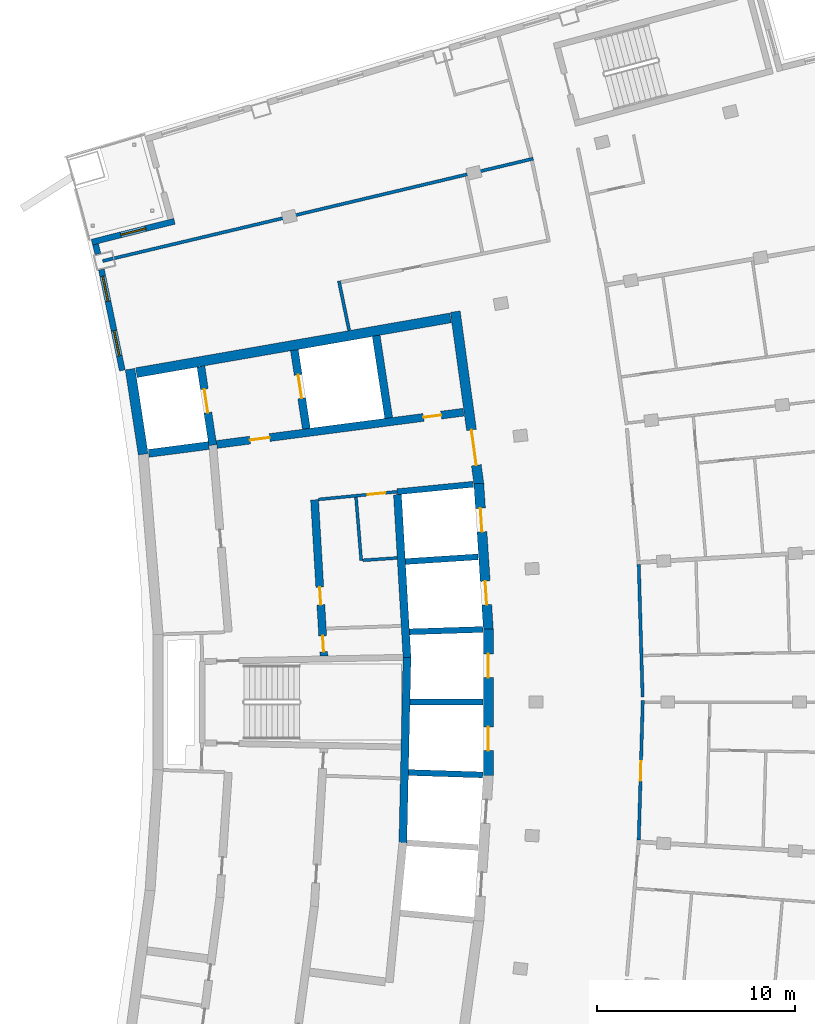
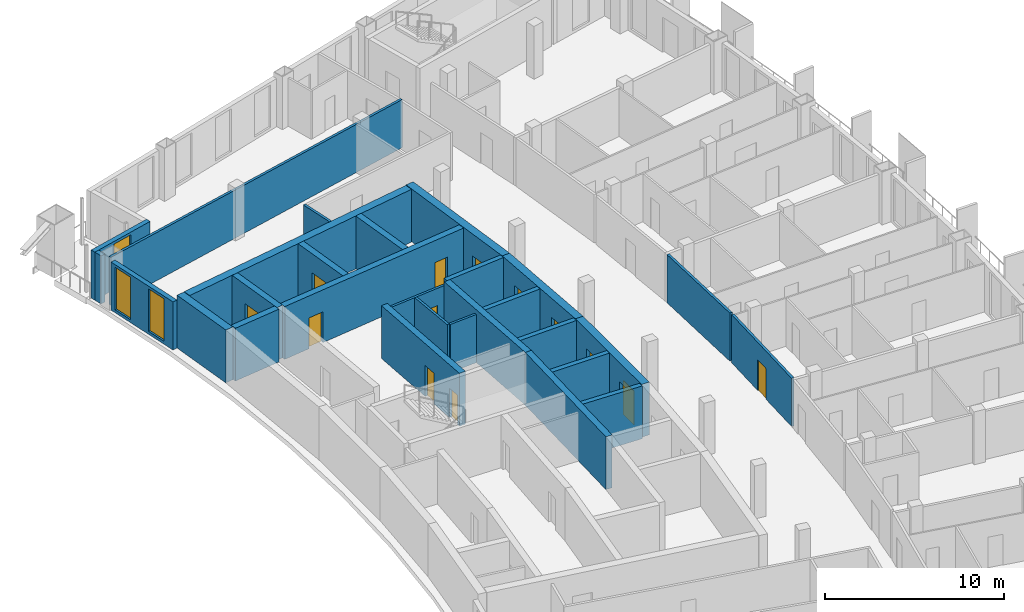
# One storey, part 10 of 16: 28 walls, 13 doors, 3 windows, 16 openings.
"""IFC4 building model written with IfcOpenShell, lengths in metres."""

from ifc_helpers import new_model, si_unit, direction, frame, frame_2d, origin, place, context, subcontext, project, spatial, rectangle, extrude, material, layer, layer_set, type_object, element, fill, save


model = new_model("IFC4")

# Units and contexts
model_context = context("Model", 3, precision=1e-05, world=origin(), true_north=direction((0.0, 1.0)))
body_context = subcontext(model_context, "Body", "Model", "MODEL_VIEW")
ifc_project = project(units=[si_unit("LENGTHUNIT", "METRE"), si_unit("AREAUNIT", "SQUARE_METRE"), si_unit("VOLUMEUNIT", "CUBIC_METRE"), si_unit("PLANEANGLEUNIT", "RADIAN"), si_unit("MASSUNIT", "GRAM", prefix="KILO")], contexts=[model_context])

# Site, building, storey
site_placement = place(None, origin())
site = spatial("IfcSite", under=ifc_project, at=site_placement, CompositionType="ELEMENT")
building_placement = place(site_placement, origin())
building = spatial("IfcBuilding", under=site, at=building_placement, Name="Alderwake Tower", CompositionType="ELEMENT")
storey_placement = place(building_placement, frame((0.0, 0.0, 281.60009765625)))
storey = spatial("IfcBuildingStorey", under=building, at=storey_placement, Name="L70", CompositionType="ELEMENT", Elevation=281.60009765625)

# Walls
ifc_material_1 = material(Name="Gypsum shaft wall system, rated")
ifc_layer_1 = layer(ifc_material_1, 0.14990234375)
ifc_layer_set_1 = layer_set([ifc_layer_1], Name="Core room partition 150")
wall_type_1 = type_object("IfcWallType", Name="Core room partition 150", PredefinedType="PARTITIONING", material=ifc_layer_set_1)
wall_1_placement = place(storey_placement, frame((26.9599609375, 68.170654296875, 0.0), z_axis=(0.0, 0.0, 1.0), x_axis=(-0.081803626558, 0.996648466954, 0.0)))
element("IfcWall", 1, at=wall_1_placement, inside=storey, type_object=wall_type_1, Name="CW/L70/PA+107_+70", PredefinedType="PARTITIONING", context=body_context, shape_type="SweptSolid", body=[
    extrude(rectangle(XDim=3.205322265625, YDim=0.14990234375, at=frame_2d((1.6025390625, 0.0))), origin(), (0.0, 0.0, 1.0), 3.27978515625),
])
wall_2_placement = place(storey_placement, frame((27.034912109375, 68.175537109375, 0.0), z_axis=(0.0, 0.0, 1.0), x_axis=(0.997757929195, 0.066926188655, 0.0)))
element("IfcWall", 2, at=wall_2_placement, inside=storey, type_object=wall_type_1, Name="CW/L70/PR+70_+107", PredefinedType="PARTITIONING", context=body_context, shape_type="SweptSolid", body=[
    extrude(rectangle(XDim=1.7509765625, YDim=0.14990234375, at=frame_2d((0.87548828125, 0.0))), origin(), (0.0, 0.0, 1.0), 3.27978515625),
])

# Wall, opening, door
wall_3_placement = place(storey_placement, frame((28.780517578125, 71.644287109375, 0.0), z_axis=(0.0, 0.0, 1.0), x_axis=(-0.995250000627, -0.097352125046, 0.0)))
wall_3 = element("IfcWall", 3, at=wall_3_placement, inside=storey, type_object=wall_type_1, Name="CW/L70/PR+102_+86", PredefinedType="PARTITIONING", context=body_context, shape_type="SweptSolid", body=[
    extrude(rectangle(XDim=4.0, YDim=0.14990234375, at=frame_2d((2.0, 0.0))), origin(), (0.0, 0.0, 1.0), 3.27978515625),
])
opening_1_placement = place(wall_3_placement, frame((0.60009765625, 0.0, 0.0)))
opening_1 = element("IfcOpeningElement", 4, at=opening_1_placement, cuts=wall_3, Name="Opening C022", PredefinedType="OPENING", context=body_context, shape_type="SweptSolid", body=[
    extrude(rectangle(XDim=0.89990234375, YDim=2.10009765625, at=frame_2d((0.449951171875, 1.050048828125))), frame((0.0, 0.0849609375, 0.0), z_axis=(0.0, -1.0, 0.0), x_axis=(1.0, 0.0, 0.0)), (0.0, 0.0, 1.0), 0.169921875),
])
ifc_material_2 = material(Name="Painted steel leaf", Category="steel")
door_type_1 = type_object("IfcDoorType", Name="Core room door 900", OperationType="SINGLE_SWING_LEFT", PredefinedType="DOOR", material=ifc_material_2)
door_1_placement = place(opening_1_placement, origin())
door_1 = element("IfcDoor", 5, at=door_1_placement, inside=storey, type_object=door_type_1, Name="Room door", OperationType="SINGLE_SWING_LEFT", OverallHeight=2.10009765625, OverallWidth=0.89990234375, PredefinedType="DOOR", context=body_context, shape_type="SweptSolid", body=[
    extrude(rectangle(XDim=0.89990234375, YDim=2.10009765625, at=frame_2d((0.449951171875, 1.050048828125))), frame((0.0, 0.02490234375, 0.0), z_axis=(0.0, -1.0, 0.0), x_axis=(1.0, 0.0, 0.0)), (0.0, 0.0, 1.0), 0.050048828125),
])
fill(opening_1, door_1)

# Wall
ifc_material_3 = material(Name="Concrete C70/85", Category="concrete")
ifc_layer_2 = layer(ifc_material_3, 0.5)
ifc_layer_set_2 = layer_set([ifc_layer_2], Name="Core wall outer 500 C70-85")
wall_type_2 = type_object("IfcWallType", Name="Core wall outer 500 C70-85", PredefinedType="SHEAR", material=ifc_layer_set_2)
wall_4_placement = place(storey_placement, frame((15.934326171875, 73.5380859375, 0.0), z_axis=(0.0, 0.0, 1.0), x_axis=(-0.151947718368, 0.988388532351, 0.0)))
element("IfcWall", 6, at=wall_4_placement, inside=storey, type_object=wall_type_2, Name="Core wall CW.025", PredefinedType="SHEAR", context=body_context, shape_type="SweptSolid", body=[
    extrude(rectangle(XDim=4.357421875, YDim=0.5, at=frame_2d((2.1787109375, 0.0))), origin(), (0.0, 0.0, 1.0), 3.599853515625),
])

# Wall, openings, doors
wall_5_placement = place(storey_placement, frame((33.389892578125, 57.30322265625, 0.0), z_axis=(0.0, 0.0, 1.0), x_axis=(0.0, 1.0, 0.0)))
wall_5 = element("IfcWall", 7, at=wall_5_placement, inside=storey, type_object=wall_type_2, Name="Core wall CW.023", PredefinedType="SHEAR", context=body_context, shape_type="SweptSolid", body=[
    extrude(rectangle(XDim=7.3935546875, YDim=0.5, at=frame_2d((3.69677734375, 0.0))), origin(), (0.0, 0.0, 1.0), 3.599853515625),
])
opening_2_placement = place(wall_5_placement, frame((1.25244140625, 0.0, 0.0)))
opening_2 = element("IfcOpeningElement", 8, at=opening_2_placement, cuts=wall_5, Name="Opening LD-HP3", PredefinedType="OPENING", context=body_context, shape_type="SweptSolid", body=[
    extrude(rectangle(XDim=1.199951171875, YDim=2.300048828125, at=frame_2d((0.60009765625, 1.14990234375))), frame((0.0, 0.260009765625, 0.0), z_axis=(0.0, -1.0, 0.0), x_axis=(1.0, 0.0, 0.0)), (0.0, 0.0, 1.0), 0.52001953125),
])
opening_3_placement = place(wall_5_placement, frame((4.94091796875, 0.0, 0.0)))
opening_3 = element("IfcOpeningElement", 9, at=opening_3_placement, cuts=wall_5, Name="Opening LD-HP4", PredefinedType="OPENING", context=body_context, shape_type="SweptSolid", body=[
    extrude(rectangle(XDim=1.199951171875, YDim=2.300048828125, at=frame_2d((0.60009765625, 1.14990234375))), frame((0.0, 0.260009765625, 0.0), z_axis=(0.0, -1.0, 0.0), x_axis=(1.0, 0.0, 0.0)), (0.0, 0.0, 1.0), 0.52001953125),
])
ifc_material_4 = material(Name="Stainless steel sliding leaf", Category="steel")
door_type_2 = type_object("IfcDoorType", Name="Lift landing door 1200", OperationType="SLIDING_TO_LEFT", PredefinedType="DOOR", material=ifc_material_4)
door_2_placement = place(opening_2_placement, origin())
door_2 = element("IfcDoor", 10, at=door_2_placement, inside=storey, type_object=door_type_2, Name="Lift landing door HP3", OperationType="SLIDING_TO_LEFT", OverallHeight=2.300048828125, OverallWidth=1.199951171875, PredefinedType="DOOR", context=body_context, shape_type="SweptSolid", body=[
    extrude(rectangle(XDim=1.199951171875, YDim=2.300048828125, at=frame_2d((0.60009765625, 1.14990234375))), frame((0.0, 0.02490234375, 0.0), z_axis=(0.0, -1.0, 0.0), x_axis=(1.0, 0.0, 0.0)), (0.0, 0.0, 1.0), 0.050048828125),
])
fill(opening_2, door_2)
door_3_placement = place(opening_3_placement, origin())
door_3 = element("IfcDoor", 11, at=door_3_placement, inside=storey, type_object=door_type_2, Name="Lift landing door HP4", OperationType="SLIDING_TO_LEFT", OverallHeight=2.300048828125, OverallWidth=1.199951171875, PredefinedType="DOOR", context=body_context, shape_type="SweptSolid", body=[
    extrude(rectangle(XDim=1.199951171875, YDim=2.300048828125, at=frame_2d((0.60009765625, 1.14990234375))), frame((0.0, 0.02490234375, 0.0), z_axis=(0.0, -1.0, 0.0), x_axis=(1.0, 0.0, 0.0)), (0.0, 0.0, 1.0), 0.050048828125),
])
fill(opening_3, door_3)

wall_6_placement = place(storey_placement, frame((33.390625, 64.679443359375, 0.0), z_axis=(0.0, 0.0, 1.0), x_axis=(-0.064980500916, 0.997886533881, 0.0)))
wall_6 = element("IfcWall", 12, at=wall_6_placement, inside=storey, type_object=wall_type_2, Name="Core wall CW.020", PredefinedType="SHEAR", context=body_context, shape_type="SweptSolid", body=[
    extrude(rectangle(XDim=7.39404296875, YDim=0.5, at=frame_2d((3.697021484375, 0.0))), origin(), (0.0, 0.0, 1.0), 3.599853515625),
])
opening_4_placement = place(wall_6_placement, frame((1.25244140625, 0.0, 0.0)))
opening_4 = element("IfcOpeningElement", 13, at=opening_4_placement, cuts=wall_6, Name="Opening LD-HP5", PredefinedType="OPENING", context=body_context, shape_type="SweptSolid", body=[
    extrude(rectangle(XDim=1.199951171875, YDim=2.300048828125, at=frame_2d((0.60009765625, 1.14990234375))), frame((0.0, 0.260009765625, 0.0), z_axis=(0.0, -1.0, 0.0), x_axis=(1.0, 0.0, 0.0)), (0.0, 0.0, 1.0), 0.52001953125),
])
opening_5_placement = place(wall_6_placement, frame((4.94091796875, 0.0, 0.0)))
opening_5 = element("IfcOpeningElement", 14, at=opening_5_placement, cuts=wall_6, Name="Opening LD-HP6", PredefinedType="OPENING", context=body_context, shape_type="SweptSolid", body=[
    extrude(rectangle(XDim=1.199951171875, YDim=2.300048828125, at=frame_2d((0.60009765625, 1.14990234375))), frame((0.0, 0.260009765625, 0.0), z_axis=(0.0, -1.0, 0.0), x_axis=(1.0, 0.0, 0.0)), (0.0, 0.0, 1.0), 0.52001953125),
])
door_4_placement = place(opening_4_placement, origin())
door_4 = element("IfcDoor", 15, at=door_4_placement, inside=storey, type_object=door_type_2, Name="Lift landing door HP5", OperationType="SLIDING_TO_LEFT", OverallHeight=2.300048828125, OverallWidth=1.199951171875, PredefinedType="DOOR", context=body_context, shape_type="SweptSolid", body=[
    extrude(rectangle(XDim=1.199951171875, YDim=2.300048828125, at=frame_2d((0.60009765625, 1.14990234375))), frame((0.0, 0.02490234375, 0.0), z_axis=(0.0, -1.0, 0.0), x_axis=(1.0, 0.0, 0.0)), (0.0, 0.0, 1.0), 0.050048828125),
])
fill(opening_4, door_4)
door_5_placement = place(opening_5_placement, origin())
door_5 = element("IfcDoor", 16, at=door_5_placement, inside=storey, type_object=door_type_2, Name="Lift landing door HP6", OperationType="SLIDING_TO_LEFT", OverallHeight=2.300048828125, OverallWidth=1.199951171875, PredefinedType="DOOR", context=body_context, shape_type="SweptSolid", body=[
    extrude(rectangle(XDim=1.199951171875, YDim=2.300048828125, at=frame_2d((0.60009765625, 1.14990234375))), frame((0.0, 0.02490234375, 0.0), z_axis=(0.0, -1.0, 0.0), x_axis=(1.0, 0.0, 0.0)), (0.0, 0.0, 1.0), 0.050048828125),
])
fill(opening_5, door_5)

# Wall, opening, door
wall_7_placement = place(storey_placement, frame((31.71728515625, 80.752685546875, 0.0), z_axis=(0.0, 0.0, 1.0), x_axis=(0.1358539401, -0.990728876615, 0.0)))
wall_7 = element("IfcWall", 17, at=wall_7_placement, inside=storey, type_object=wall_type_2, Name="Core wall CW.019", PredefinedType="SHEAR", context=body_context, shape_type="SweptSolid", body=[
    extrude(rectangle(XDim=8.794921875, YDim=0.5, at=frame_2d((4.3974609375, 0.0))), origin(), (0.0, 0.0, 1.0), 3.599853515625),
])
opening_6_placement = place(wall_7_placement, frame((6.0419921875, 0.0, 0.0)))
opening_6 = element("IfcOpeningElement", 18, at=opening_6_placement, cuts=wall_7, Name="Opening C001", PredefinedType="OPENING", context=body_context, shape_type="SweptSolid", body=[
    extrude(rectangle(XDim=1.800048828125, YDim=2.10009765625, at=frame_2d((0.89990234375, 1.050048828125))), frame((0.0, 0.260009765625, 0.0), z_axis=(0.0, -1.0, 0.0), x_axis=(1.0, 0.0, 0.0)), (0.0, 0.0, 1.0), 0.52001953125),
])
ifc_material_5 = material(Name="Steel-framed fire door leaves", Category="steel")
door_type_3 = type_object("IfcDoorType", Name="Core double door 1800 fire-rated", OperationType="DOUBLE_DOOR_SINGLE_SWING", PredefinedType="DOOR", material=ifc_material_5)
door_6_placement = place(opening_6_placement, origin())
door_6 = element("IfcDoor", 19, at=door_6_placement, inside=storey, type_object=door_type_3, Name="Lobby double door", OperationType="DOUBLE_DOOR_SINGLE_SWING", OverallHeight=2.10009765625, OverallWidth=1.800048828125, PredefinedType="DOOR", context=body_context, shape_type="SweptSolid", body=[
    extrude(rectangle(XDim=1.800048828125, YDim=2.10009765625, at=frame_2d((0.89990234375, 1.050048828125))), frame((0.0, 0.02490234375, 0.0), z_axis=(0.0, -1.0, 0.0), x_axis=(1.0, 0.0, 0.0)), (0.0, 0.0, 1.0), 0.050048828125),
])
fill(opening_6, door_6)

# Walls
wall_8_placement = place(storey_placement, frame((15.583251953125, 77.664306640625, 0.0), z_axis=(0.0, 0.0, 1.0), x_axis=(0.985139146221, 0.171758151429, 0.0)))
element("IfcWall", 20, at=wall_8_placement, inside=storey, type_object=wall_type_2, Name="Core wall CW.055", PredefinedType="SHEAR", context=body_context, shape_type="SweptSolid", body=[
    extrude(rectangle(XDim=16.134521484375, YDim=0.5, at=frame_2d((8.0673828125, 0.0))), origin(), (0.0, 0.0, 1.0), 3.599853515625),
])
ifc_material_6 = material(Name="Concrete C70/85", Category="concrete")
ifc_layer_3 = layer(ifc_material_6, 0.300048828125)
ifc_layer_set_3 = layer_set([ifc_layer_3], Name="Core wall shaft 300 C70-85")
wall_type_3 = type_object("IfcWallType", Name="Core wall shaft 300 C70-85", PredefinedType="SHEAR", material=ifc_layer_set_3)
wall_9_placement = place(storey_placement, frame((29.347412109375, 57.443603515625, 0.0), z_axis=(0.0, 0.0, 1.0), x_axis=(0.99946995342, -0.032554757112, 0.0)))
element("IfcWall", 21, at=wall_9_placement, inside=storey, type_object=wall_type_3, Name="Core wall CW.075", PredefinedType="SHEAR", context=body_context, shape_type="SweptSolid", body=[
    extrude(rectangle(XDim=3.7646484375, YDim=0.300048828125, at=frame_2d((1.88232421875, 0.0))), origin(), (0.0, 0.0, 1.0), 3.599853515625),
])
wall_10_placement = place(storey_placement, frame((29.426025390625, 61.0, 0.0), z_axis=(0.0, 0.0, 1.0), x_axis=(1.0, 0.0, 0.0)))
element("IfcWall", 22, at=wall_10_placement, inside=storey, type_object=wall_type_3, Name="Core wall CW.048", PredefinedType="SHEAR", context=body_context, shape_type="SweptSolid", body=[
    extrude(rectangle(XDim=3.68408203125, YDim=0.300048828125, at=frame_2d((1.842041015625, 0.0))), origin(), (0.0, 0.0, 1.0), 3.599853515625),
])
wall_11_placement = place(storey_placement, frame((29.401611328125, 64.558349609375, 0.0), z_axis=(0.0, 0.0, 1.0), x_axis=(0.99947159852, 0.032504211301, 0.0)))
element("IfcWall", 23, at=wall_11_placement, inside=storey, type_object=wall_type_3, Name="Core wall CW.058", PredefinedType="SHEAR", context=body_context, shape_type="SweptSolid", body=[
    extrude(rectangle(XDim=3.71044921875, YDim=0.300048828125, at=frame_2d((1.855224609375, 0.0))), origin(), (0.0, 0.0, 1.0), 3.599853515625),
])
wall_12_placement = place(storey_placement, frame((29.193603515625, 68.110595703125, 0.0), z_axis=(0.0, 0.0, 1.0), x_axis=(0.997885994006, 0.064988791085, 0.0)))
element("IfcWall", 24, at=wall_12_placement, inside=storey, type_object=wall_type_3, Name="Core wall CW.061", PredefinedType="SHEAR", context=body_context, shape_type="SweptSolid", body=[
    extrude(rectangle(XDim=3.685302734375, YDim=0.300048828125, at=frame_2d((1.8427734375, 0.0))), origin(), (0.0, 0.0, 1.0), 3.599853515625),
])
wall_13_placement = place(storey_placement, frame((28.780517578125, 71.644287109375, 0.0), z_axis=(0.0, 0.0, 1.0), x_axis=(0.995244248631, 0.097410910928, 0.0)))
element("IfcWall", 25, at=wall_13_placement, inside=storey, type_object=wall_type_3, Name="Core wall CW.049", PredefinedType="SHEAR", context=body_context, shape_type="SweptSolid", body=[
    extrude(rectangle(XDim=3.86962890625, YDim=0.300048828125, at=frame_2d((1.934814453125, 0.0))), origin(), (0.0, 0.0, 1.0), 3.599853515625),
])

# Wall, opening, door
ifc_material_7 = material(Name="Concrete C70/85", Category="concrete")
ifc_layer_4 = layer(ifc_material_7, 0.39990234375)
ifc_layer_set_4 = layer_set([ifc_layer_4], Name="Core wall spine 400 C70-85")
wall_type_4 = type_object("IfcWallType", Name="Core wall spine 400 C70-85", PredefinedType="SHEAR", material=ifc_layer_set_4)
wall_14_placement = place(storey_placement, frame((19.4541015625, 74.00048828125, 0.0), z_axis=(0.0, 0.0, 1.0), x_axis=(-0.149461330246, 0.988767571657, 0.0)))
wall_14 = element("IfcWall", 26, at=wall_14_placement, inside=storey, type_object=wall_type_4, Name="Core wall CW.030", PredefinedType="SHEAR", context=body_context, shape_type="SweptSolid", body=[
    extrude(rectangle(XDim=4.01513671875, YDim=0.39990234375, at=frame_2d((2.007568359375, 0.0))), origin(), (0.0, 0.0, 1.0), 3.599853515625),
])
opening_7_placement = place(wall_14_placement, frame((1.6611328125, 0.0, 0.0)))
opening_7 = element("IfcOpeningElement", 27, at=opening_7_placement, cuts=wall_14, Name="Opening LD-FF1", PredefinedType="OPENING", context=body_context, shape_type="SweptSolid", body=[
    extrude(rectangle(XDim=1.199951171875, YDim=2.300048828125, at=frame_2d((0.60009765625, 1.14990234375))), frame((0.0, 0.2099609375, 0.0), z_axis=(0.0, -1.0, 0.0), x_axis=(1.0, 0.0, 0.0)), (0.0, 0.0, 1.0), 0.419921875),
])
door_7_placement = place(opening_7_placement, origin())
door_7 = element("IfcDoor", 28, at=door_7_placement, inside=storey, type_object=door_type_2, Name="Lift landing door FF1", OperationType="SLIDING_TO_LEFT", OverallHeight=2.300048828125, OverallWidth=1.199951171875, PredefinedType="DOOR", context=body_context, shape_type="SweptSolid", body=[
    extrude(rectangle(XDim=1.199951171875, YDim=2.300048828125, at=frame_2d((0.60009765625, 1.14990234375))), frame((0.0, 0.02490234375, 0.0), z_axis=(0.0, -1.0, 0.0), x_axis=(1.0, 0.0, 0.0)), (0.0, 0.0, 1.0), 0.050048828125),
])
fill(opening_7, door_7)

# Wall, openings, doors
wall_15_placement = place(storey_placement, frame((25.073974609375, 63.335693359375, 0.0), z_axis=(0.0, 0.0, 1.0), x_axis=(-0.059848641072, 0.998207463487, 0.0)))
wall_15 = element("IfcWall", 29, at=wall_15_placement, inside=storey, type_object=wall_type_4, Name="Core wall CW.045", PredefinedType="SHEAR", context=body_context, shape_type="SweptSolid", body=[
    extrude(rectangle(XDim=7.913818359375, YDim=0.39990234375, at=frame_2d((3.95703125, 0.0))), origin(), (0.0, 0.0, 1.0), 3.599853515625),
])
opening_8_placement = place(wall_15_placement, frame((0.216064453125, 0.0, 0.0)))
opening_8 = element("IfcOpeningElement", 30, at=opening_8_placement, cuts=wall_15, Name="Opening C005", PredefinedType="OPENING", context=body_context, shape_type="SweptSolid", body=[
    extrude(rectangle(XDim=0.800048828125, YDim=2.0, at=frame_2d((0.39990234375, 1.0))), frame((0.0, 0.2099609375, 0.0), z_axis=(0.0, -1.0, 0.0), x_axis=(1.0, 0.0, 0.0)), (0.0, 0.0, 1.0), 0.419921875),
])
opening_9_placement = place(wall_15_placement, frame((2.590087890625, 0.0, 0.0)))
opening_9 = element("IfcOpeningElement", 31, at=opening_9_placement, cuts=wall_15, Name="Opening C058", PredefinedType="OPENING", context=body_context, shape_type="SweptSolid", body=[
    extrude(rectangle(XDim=0.89990234375, YDim=2.10009765625, at=frame_2d((0.449951171875, 1.050048828125))), frame((0.0, 0.2099609375, 0.0), z_axis=(0.0, -1.0, 0.0), x_axis=(1.0, 0.0, 0.0)), (0.0, 0.0, 1.0), 0.419921875),
])
door_8_placement = place(opening_9_placement, origin())
door_8 = element("IfcDoor", 32, at=door_8_placement, inside=storey, type_object=door_type_1, Name="Room door", OperationType="SINGLE_SWING_LEFT", OverallHeight=2.10009765625, OverallWidth=0.89990234375, PredefinedType="DOOR", context=body_context, shape_type="SweptSolid", body=[
    extrude(rectangle(XDim=0.89990234375, YDim=2.10009765625, at=frame_2d((0.449951171875, 1.050048828125))), frame((0.0, 0.02490234375, 0.0), z_axis=(0.0, -1.0, 0.0), x_axis=(1.0, 0.0, 0.0)), (0.0, 0.0, 1.0), 0.050048828125),
])
fill(opening_9, door_8)
ifc_material_8 = material(Name="Painted steel leaf, rated", Category="steel")
door_type_4 = type_object("IfcDoorType", Name="Riser access door 800", OperationType="SINGLE_SWING_LEFT", PredefinedType="DOOR", material=ifc_material_8)
door_9_placement = place(opening_8_placement, origin())
door_9 = element("IfcDoor", 33, at=door_9_placement, inside=storey, type_object=door_type_4, Name="Riser access door", OperationType="SINGLE_SWING_LEFT", OverallHeight=2.0, OverallWidth=0.800048828125, PredefinedType="DOOR", context=body_context, shape_type="SweptSolid", body=[
    extrude(rectangle(XDim=0.800048828125, YDim=2.0, at=frame_2d((0.39990234375, 1.0))), frame((0.0, 0.02490234375, 0.0), z_axis=(0.0, -1.0, 0.0), x_axis=(1.0, 0.0, 0.0)), (0.0, 0.0, 1.0), 0.050048828125),
])
fill(opening_8, door_9)

# Wall, opening, door
wall_16_placement = place(storey_placement, frame((24.186279296875, 74.82861328125, 0.0), z_axis=(0.0, 0.0, 1.0), x_axis=(-0.150547717109, 0.988602743711, 0.0)))
wall_16 = element("IfcWall", 34, at=wall_16_placement, inside=storey, type_object=wall_type_4, Name="Core wall CW.044", PredefinedType="SHEAR", context=body_context, shape_type="SweptSolid", body=[
    extrude(rectangle(XDim=4.0234375, YDim=0.39990234375, at=frame_2d((2.01171875, 0.0))), origin(), (0.0, 0.0, 1.0), 3.599853515625),
])
opening_10_placement = place(wall_16_placement, frame((1.561767578125, 0.0, 0.0)))
opening_10 = element("IfcOpeningElement", 35, at=opening_10_placement, cuts=wall_16, Name="Opening LD-FF2", PredefinedType="OPENING", context=body_context, shape_type="SweptSolid", body=[
    extrude(rectangle(XDim=1.199951171875, YDim=2.300048828125, at=frame_2d((0.60009765625, 1.14990234375))), frame((0.0, 0.2099609375, 0.0), z_axis=(0.0, -1.0, 0.0), x_axis=(1.0, 0.0, 0.0)), (0.0, 0.0, 1.0), 0.419921875),
])
door_10_placement = place(opening_10_placement, origin())
door_10 = element("IfcDoor", 36, at=door_10_placement, inside=storey, type_object=door_type_2, Name="Lift landing door FF2", OperationType="SLIDING_TO_LEFT", OverallHeight=2.300048828125, OverallWidth=1.199951171875, PredefinedType="DOOR", context=body_context, shape_type="SweptSolid", body=[
    extrude(rectangle(XDim=1.199951171875, YDim=2.300048828125, at=frame_2d((0.60009765625, 1.14990234375))), frame((0.0, 0.02490234375, 0.0), z_axis=(0.0, -1.0, 0.0), x_axis=(1.0, 0.0, 0.0)), (0.0, 0.0, 1.0), 0.050048828125),
])
fill(opening_10, door_10)

# Walls
wall_17_placement = place(storey_placement, frame((29.06884765625, 53.889404296875, 0.0), z_axis=(0.0, 0.0, 1.0), x_axis=(0.022115148322, 0.9997554302, 0.0)))
element("IfcWall", 37, at=wall_17_placement, inside=storey, type_object=wall_type_4, Name="Core wall CW.008", PredefinedType="SHEAR", context=body_context, shape_type="SweptSolid", body=[
    extrude(rectangle(XDim=9.39453125, YDim=0.39990234375, at=frame_2d((4.697265625, 0.0))), origin(), (0.0, 0.0, 1.0), 3.599853515625),
])
wall_18_placement = place(storey_placement, frame((29.27685546875, 63.2646484375, 0.0), z_axis=(0.0, 0.0, 1.0), x_axis=(-0.0584546922, 0.998290062537, 0.0)))
element("IfcWall", 38, at=wall_18_placement, inside=storey, type_object=wall_type_4, Name="Core wall CW.002", PredefinedType="SHEAR", context=body_context, shape_type="SweptSolid", body=[
    extrude(rectangle(XDim=8.24462890625, YDim=0.39990234375, at=frame_2d((4.122314453125, 0.0))), origin(), (0.0, 0.0, 1.0), 3.599853515625),
])
wall_19_placement = place(storey_placement, frame((28.350830078125, 75.373291015625, 0.0), z_axis=(0.0, 0.0, 1.0), x_axis=(-0.150576223774, 0.988598402201, 0.0)))
element("IfcWall", 39, at=wall_19_placement, inside=storey, type_object=wall_type_4, Name="Core wall CW.001", PredefinedType="SHEAR", context=body_context, shape_type="SweptSolid", body=[
    extrude(rectangle(XDim=4.21240234375, YDim=0.39990234375, at=frame_2d((2.106201171875, 0.0))), origin(), (0.0, 0.0, 1.0), 3.599853515625),
])
wall_20_placement = place(storey_placement, frame((16.210693359375, 73.583740234375, 0.0), z_axis=(0.0, 0.0, 1.0), x_axis=(0.991560893257, 0.129641794819, 0.0)))
element("IfcWall", 40, at=wall_20_placement, inside=storey, type_object=wall_type_4, Name="Core wall CW.051", PredefinedType="SHEAR", context=body_context, shape_type="SweptSolid", body=[
    extrude(rectangle(XDim=3.069580078125, YDim=0.39990234375, at=frame_2d((1.53466796875, 0.0))), origin(), (0.0, 0.0, 1.0), 3.599853515625),
])

# Wall, openings, doors
wall_21_placement = place(storey_placement, frame((32.132080078125, 75.666015625, 0.0), z_axis=(0.0, 0.0, 1.0), x_axis=(-0.991555139901, -0.129685791576, 0.0)))
wall_21 = element("IfcWall", 41, at=wall_21_placement, inside=storey, type_object=wall_type_4, Name="Core wall CW.052", PredefinedType="SHEAR", context=body_context, shape_type="SweptSolid", body=[
    extrude(rectangle(XDim=12.586669921875, YDim=0.39990234375, at=frame_2d((6.29345703125, 0.0))), origin(), (0.0, 0.0, 1.0), 3.599853515625),
])
opening_11_placement = place(wall_21_placement, frame((9.88720703125, 0.0, 0.0)))
opening_11 = element("IfcOpeningElement", 42, at=opening_11_placement, cuts=wall_21, Name="Opening C002", PredefinedType="OPENING", context=body_context, shape_type="SweptSolid", body=[
    extrude(rectangle(XDim=1.0, YDim=2.10009765625, at=frame_2d((0.5, 1.050048828125))), frame((0.0, 0.2099609375, 0.0), z_axis=(0.0, -1.0, 0.0), x_axis=(1.0, 0.0, 0.0)), (0.0, 0.0, 1.0), 0.419921875),
])
opening_12_placement = place(wall_21_placement, frame((1.13720703125, 0.0, 0.0)))
opening_12 = element("IfcOpeningElement", 43, at=opening_12_placement, cuts=wall_21, Name="Opening C020", PredefinedType="OPENING", context=body_context, shape_type="SweptSolid", body=[
    extrude(rectangle(XDim=0.89990234375, YDim=2.10009765625, at=frame_2d((0.449951171875, 1.050048828125))), frame((0.0, 0.2099609375, 0.0), z_axis=(0.0, -1.0, 0.0), x_axis=(1.0, 0.0, 0.0)), (0.0, 0.0, 1.0), 0.419921875),
])
door_11_placement = place(opening_12_placement, origin())
door_11 = element("IfcDoor", 44, at=door_11_placement, inside=storey, type_object=door_type_1, Name="Room door", OperationType="SINGLE_SWING_RIGHT", OverallHeight=2.10009765625, OverallWidth=0.89990234375, PredefinedType="DOOR", context=body_context, shape_type="SweptSolid", body=[
    extrude(rectangle(XDim=0.89990234375, YDim=2.10009765625, at=frame_2d((0.449951171875, 1.050048828125))), frame((0.0, 0.02490234375, 0.0), z_axis=(0.0, -1.0, 0.0), x_axis=(1.0, 0.0, 0.0)), (0.0, 0.0, 1.0), 0.050048828125),
])
fill(opening_12, door_11)
ifc_material_9 = material(Name="Steel-framed fire door leaf", Category="steel")
door_type_5 = type_object("IfcDoorType", Name="Firefighting lobby door 1000 fire-rated", OperationType="SINGLE_SWING_LEFT", PredefinedType="DOOR", material=ifc_material_9)
door_12_placement = place(opening_11_placement, origin())
door_12 = element("IfcDoor", 45, at=door_12_placement, inside=storey, type_object=door_type_5, Name="Firefighting lobby door", OperationType="SINGLE_SWING_RIGHT", OverallHeight=2.10009765625, OverallWidth=1.0, PredefinedType="DOOR", context=body_context, shape_type="SweptSolid", body=[
    extrude(rectangle(XDim=1.0, YDim=2.10009765625, at=frame_2d((0.5, 1.050048828125))), frame((0.0, 0.02490234375, 0.0), z_axis=(0.0, -1.0, 0.0), x_axis=(1.0, 0.0, 0.0)), (0.0, 0.0, 1.0), 0.050048828125),
])
fill(opening_11, door_12)

# Walls
ifc_material_10 = material(Name="Gypsum board on metal studs, rated")
ifc_layer_5 = layer(ifc_material_10, 0.159912109375)
ifc_layer_set_5 = layer_set([ifc_layer_5], Name="Corridor wall 160")
wall_type_5 = type_object("IfcWallType", Name="Corridor wall 160", PredefinedType="PARTITIONING", material=ifc_layer_set_5)
wall_22_placement = place(storey_placement, frame((13.884033203125, 83.31298828125, 0.0), z_axis=(0.0, 0.0, 1.0), x_axis=(0.972893462073, 0.231253781493, 0.0)))
element("IfcWall", 46, at=wall_22_placement, inside=storey, type_object=wall_type_5, Name="WL/L70/W09", PredefinedType="PARTITIONING", context=body_context, shape_type="SweptSolid", body=[
    extrude(rectangle(XDim=22.38037109375, YDim=0.159912109375, at=frame_2d((11.190185546875, 0.0))), origin(), (0.0, 0.0, 1.0), 3.27978515625),
])
wall_23_placement = place(storey_placement, frame((25.831787109375, 82.305419921875, 0.0), z_axis=(0.0, 0.0, 1.0), x_axis=(0.202450797205, -0.979292435747, 0.0)))
element("IfcWall", 47, at=wall_23_placement, inside=storey, type_object=wall_type_5, Name="WL/L70/W12", PredefinedType="PARTITIONING", context=body_context, shape_type="SweptSolid", body=[
    extrude(rectangle(XDim=2.555419921875, YDim=0.159912109375, at=frame_2d((1.27783203125, 0.0))), origin(), (0.0, 0.0, 1.0), 3.27978515625),
])

# Wall, opening, door
wall_24_placement = place(storey_placement, frame((41.201416015625, 61.0791015625, 0.0), z_axis=(0.0, 0.0, 1.0), x_axis=(-0.028889070526, -0.999582623701, 0.0)))
wall_24 = element("IfcWall", 48, at=wall_24_placement, inside=storey, type_object=wall_type_5, Name="WL/L70/W23", PredefinedType="PARTITIONING", context=body_context, shape_type="SweptSolid", body=[
    extrude(rectangle(XDim=7.048095703125, YDim=0.159912109375, at=frame_2d((3.52392578125, 0.0))), origin(), (0.0, 0.0, 1.0), 3.27978515625),
])
opening_13_placement = place(wall_24_placement, frame((3.0634765625, 0.0, 0.0)))
opening_13 = element("IfcOpeningElement", 49, at=opening_13_placement, cuts=wall_24, Name="Opening R20-U05.1", PredefinedType="OPENING", context=body_context, shape_type="SweptSolid", body=[
    extrude(rectangle(XDim=1.0, YDim=2.10009765625, at=frame_2d((0.5, 1.050048828125))), frame((0.0, 0.08984375, 0.0), z_axis=(0.0, -1.0, 0.0), x_axis=(1.0, 0.0, 0.0)), (0.0, 0.0, 1.0), 0.179931640625),
])
ifc_material_11 = material(Name="Solid timber leaf in steel frame", Category="steel")
door_type_6 = type_object("IfcDoorType", Name="Flat entrance door 1000 fire-rated", OperationType="SINGLE_SWING_LEFT", PredefinedType="DOOR", material=ifc_material_11)
door_13_placement = place(opening_13_placement, origin())
door_13 = element("IfcDoor", 50, at=door_13_placement, inside=storey, type_object=door_type_6, Name="DR/L70/U05.1", OperationType="SINGLE_SWING_LEFT", OverallHeight=2.10009765625, OverallWidth=1.0, PredefinedType="DOOR", context=body_context, shape_type="SweptSolid", body=[
    extrude(rectangle(XDim=1.0, YDim=2.10009765625, at=frame_2d((0.5, 1.050048828125))), frame((0.0, 0.02490234375, 0.0), z_axis=(0.0, -1.0, 0.0), x_axis=(1.0, 0.0, 0.0)), (0.0, 0.0, 1.0), 0.050048828125),
])
fill(opening_13, door_13)

# Walls
wall_25_placement = place(storey_placement, frame((40.997802734375, 67.967041015625, 0.0), z_axis=(0.0, 0.0, 1.0), x_axis=(0.0288778927, -0.99958294669, 0.0)))
element("IfcWall", 51, at=wall_25_placement, inside=storey, type_object=wall_type_5, Name="WL/L70/W25", PredefinedType="PARTITIONING", context=body_context, shape_type="SweptSolid", body=[
    extrude(rectangle(XDim=6.7041015625, YDim=0.159912109375, at=frame_2d((3.35205078125, 0.0))), origin(), (0.0, 0.0, 1.0), 3.27978515625),
])
ifc_material_12 = material(Name="Precast concrete C50/60 spandrel panel", Category="concrete")
ifc_layer_6 = layer(ifc_material_12, 0.300048828125)
ifc_layer_set_6 = layer_set([ifc_layer_6], Name="External wall EW1 Precast concrete C50/60 spandrel")
wall_type_6 = type_object("IfcWallType", Name="External wall EW1 Precast concrete C50/60 spandrel", PredefinedType="SOLIDWALL", material=ifc_layer_set_6)
wall_26_placement = place(storey_placement, frame((13.523193359375, 84.1572265625, 0.0), z_axis=(0.0, 0.0, 1.0), x_axis=(0.238653145818, -0.971104873838, 0.0)))
element("IfcWall", 52, at=wall_26_placement, inside=storey, type_object=wall_type_6, Name="External wall 30", PredefinedType="SOLIDWALL", context=body_context, shape_type="SweptSolid", body=[
    extrude(rectangle(XDim=0.50341796875, YDim=0.300048828125, at=frame_2d((0.251708984375, 0.0))), origin(), (0.0, 0.0, 1.0), 3.27978515625),
])

# Wall, openings, windows
wall_27_placement = place(storey_placement, frame((13.821533203125, 82.879638671875, 0.0), z_axis=(0.0, 0.0, 1.0), x_axis=(0.202760516883, -0.979228355795, 0.0)))
wall_27 = element("IfcWall", 53, at=wall_27_placement, inside=storey, type_object=wall_type_6, Name="External wall 31", PredefinedType="SOLIDWALL", context=body_context, shape_type="SweptSolid", body=[
    extrude(rectangle(XDim=5.211181640625, YDim=0.300048828125, at=frame_2d((2.60546875, 0.0))), origin(), (0.0, 0.0, 1.0), 3.27978515625),
])
opening_14_placement = place(wall_27_placement, frame((0.342041015625, 0.0, 0.199951171875)))
opening_14 = element("IfcOpeningElement", 54, at=opening_14_placement, cuts=wall_27, Name="Opening W1", PredefinedType="OPENING", context=body_context, shape_type="SweptSolid", body=[
    extrude(rectangle(XDim=1.300048828125, YDim=2.89990234375, at=frame_2d((0.64990234375, 1.449951171875))), frame((0.0, 0.159912109375, 0.0), z_axis=(0.0, -1.0, 0.0), x_axis=(1.0, 0.0, 0.0)), (0.0, 0.0, 1.0), 0.320068359375),
])
opening_15_placement = place(wall_27_placement, frame((3.15478515625, 0.0, 0.199951171875)))
opening_15 = element("IfcOpeningElement", 55, at=opening_15_placement, cuts=wall_27, Name="Opening W1", PredefinedType="OPENING", context=body_context, shape_type="SweptSolid", body=[
    extrude(rectangle(XDim=1.300048828125, YDim=2.89990234375, at=frame_2d((0.64990234375, 1.449951171875))), frame((0.0, 0.159912109375, 0.0), z_axis=(0.0, -1.0, 0.0), x_axis=(1.0, 0.0, 0.0)), (0.0, 0.0, 1.0), 0.320068359375),
])
ifc_material_13 = material(Name="Bronze tinted glass in aluminium frame", Category="aluminium")
window_type = type_object("IfcWindowType", Name="Window W1 tall fixed and vent", PartitioningType="DOUBLE_PANEL_VERTICAL", PredefinedType="WINDOW", material=ifc_material_13)
window_1_placement = place(opening_14_placement, origin())
window_1 = element("IfcWindow", 56, at=window_1_placement, inside=storey, type_object=window_type, Name="Window W1 tall fixed and vent", OverallHeight=2.89990234375, OverallWidth=1.300048828125, PartitioningType="DOUBLE_PANEL_VERTICAL", PredefinedType="WINDOW", context=body_context, shape_type="SweptSolid", body=[
    extrude(rectangle(XDim=1.300048828125, YDim=2.89990234375, at=frame_2d((0.64990234375, 1.449951171875))), frame((0.0, 0.030029296875, 0.0), z_axis=(0.0, -1.0, 0.0), x_axis=(1.0, 0.0, 0.0)), (0.0, 0.0, 1.0), 0.06005859375),
])
fill(opening_14, window_1)
window_2_placement = place(opening_15_placement, origin())
window_2 = element("IfcWindow", 57, at=window_2_placement, inside=storey, type_object=window_type, Name="Window W1 tall fixed and vent", OverallHeight=2.89990234375, OverallWidth=1.300048828125, PartitioningType="DOUBLE_PANEL_VERTICAL", PredefinedType="WINDOW", context=body_context, shape_type="SweptSolid", body=[
    extrude(rectangle(XDim=1.300048828125, YDim=2.89990234375, at=frame_2d((0.64990234375, 1.449951171875))), frame((0.0, 0.030029296875, 0.0), z_axis=(0.0, -1.0, 0.0), x_axis=(1.0, 0.0, 0.0)), (0.0, 0.0, 1.0), 0.06005859375),
])
fill(opening_15, window_2)

# Wall, opening, window
ifc_material_14 = material(Name="Bronze metal cladding on lightweight framing")
ifc_layer_7 = layer(ifc_material_14, 0.300048828125)
ifc_layer_set_7 = layer_set([ifc_layer_7], Name="External wall EW2 bronze metal cladding")
wall_type_7 = type_object("IfcWallType", Name="External wall EW2 bronze metal cladding", PredefinedType="SOLIDWALL", material=ifc_layer_set_7)
wall_28_placement = place(storey_placement, frame((17.51611328125, 85.32275390625, 0.0), z_axis=(0.0, 0.0, 1.0), x_axis=(-0.969417740682, -0.245416470617, 0.0)))
wall_28 = element("IfcWall", 58, at=wall_28_placement, inside=storey, type_object=wall_type_7, Name="External wall 29", PredefinedType="SOLIDWALL", context=body_context, shape_type="SweptSolid", body=[
    extrude(rectangle(XDim=4.305419921875, YDim=0.300048828125, at=frame_2d((2.15283203125, 0.0))), origin(), (0.0, 0.0, 1.0), 3.27978515625),
])
opening_16_placement = place(wall_28_placement, frame((1.502685546875, 0.0, 0.199951171875)))
opening_16 = element("IfcOpeningElement", 59, at=opening_16_placement, cuts=wall_28, Name="Opening W1", PredefinedType="OPENING", context=body_context, shape_type="SweptSolid", body=[
    extrude(rectangle(XDim=1.300048828125, YDim=2.89990234375, at=frame_2d((0.64990234375, 1.449951171875))), frame((0.0, 0.159912109375, 0.0), z_axis=(0.0, -1.0, 0.0), x_axis=(1.0, 0.0, 0.0)), (0.0, 0.0, 1.0), 0.320068359375),
])
window_3_placement = place(opening_16_placement, origin())
window_3 = element("IfcWindow", 60, at=window_3_placement, inside=storey, type_object=window_type, Name="Window W1 tall fixed and vent", OverallHeight=2.89990234375, OverallWidth=1.300048828125, PartitioningType="DOUBLE_PANEL_VERTICAL", PredefinedType="WINDOW", context=body_context, shape_type="SweptSolid", body=[
    extrude(rectangle(XDim=1.300048828125, YDim=2.89990234375, at=frame_2d((0.64990234375, 1.449951171875))), frame((0.0, 0.030029296875, 0.0), z_axis=(0.0, -1.0, 0.0), x_axis=(1.0, 0.0, 0.0)), (0.0, 0.0, 1.0), 0.06005859375),
])
fill(opening_16, window_3)

save(model, "model.ifc")
